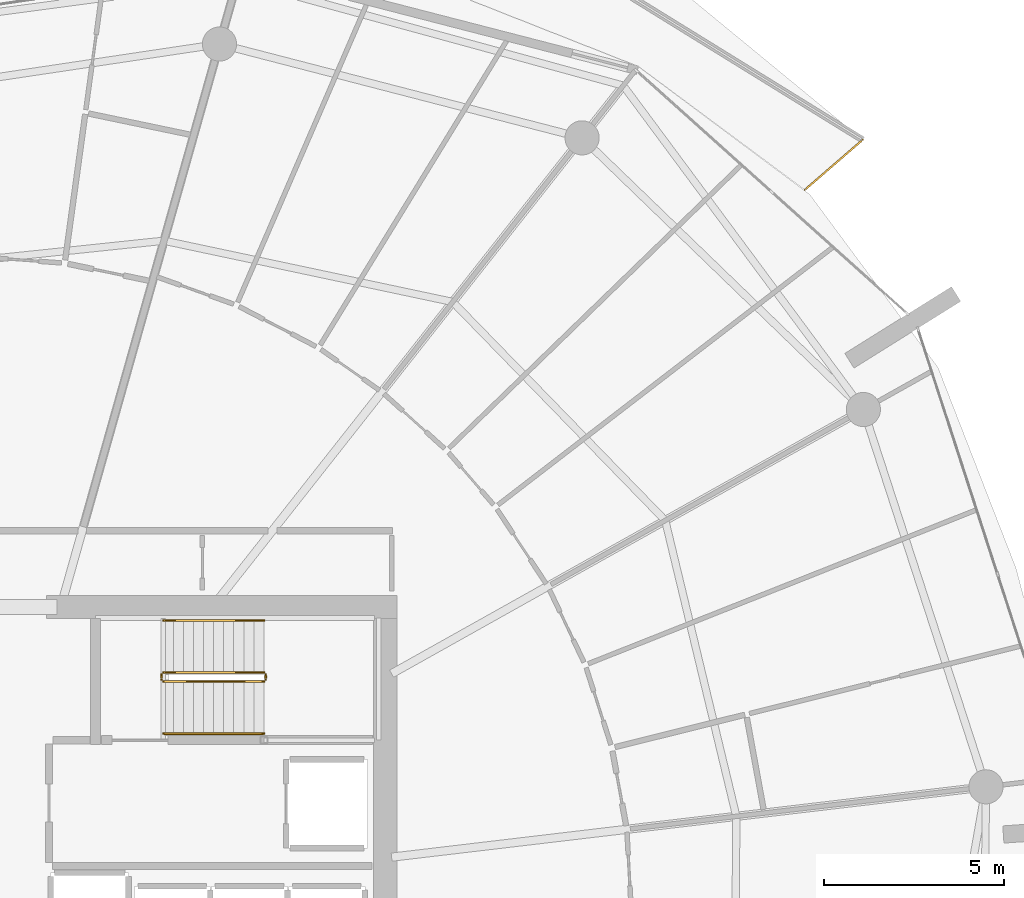
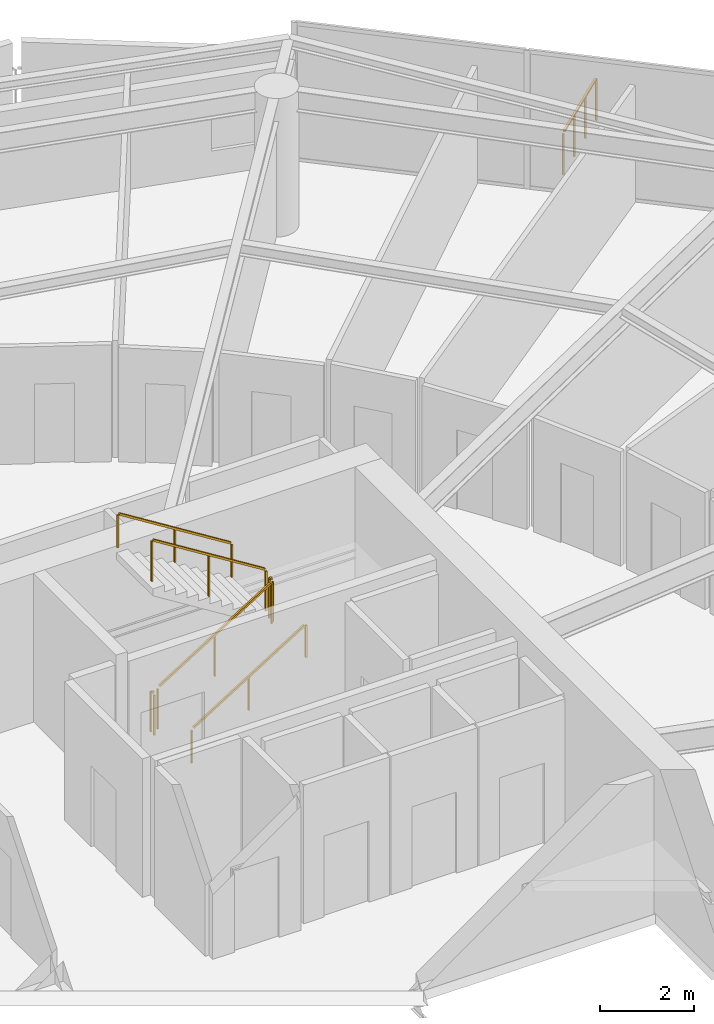
# One storey, part 29 of 30: 7 railings.
"""IFC4 building model written with IfcOpenShell, lengths in metres."""

from ifc_helpers import new_model, si_unit, direction, frame, origin, origin_2d, place, context, subcontext, project, spatial, rectangle, extrude, material, type_object, element, save


model = new_model("IFC4")

# Units and contexts
model_context = context("Model", 3, precision=1e-05, world=origin(), true_north=direction((0.0, 1.0)))
body_context = subcontext(model_context, "Body", "Model", "MODEL_VIEW")
ifc_project = project(units=[si_unit("LENGTHUNIT", "METRE"), si_unit("AREAUNIT", "SQUARE_METRE"), si_unit("VOLUMEUNIT", "CUBIC_METRE"), si_unit("PLANEANGLEUNIT", "RADIAN"), si_unit("MASSUNIT", "GRAM", prefix="KILO")], contexts=[model_context])

# Site, building, storey
site_placement = place(None, origin())
site = spatial("IfcSite", under=ifc_project, at=site_placement, CompositionType="ELEMENT")
building_placement = place(site_placement, origin())
building = spatial("IfcBuilding", under=site, at=building_placement, Name="Kazma Halo Residences", CompositionType="ELEMENT")
storey_placement = place(building_placement, frame((0.0, 0.0, 255.949951171875)))
storey = spatial("IfcBuildingStorey", under=building, at=storey_placement, Name="L64", CompositionType="ELEMENT", Elevation=255.949951171875)

# Railings
ifc_material_1 = material(Name="Aluminium AW-6063 T6 Brushed Cap Rail", Category="aluminium")
railing_type_1 = type_object("IfcRailingType", Name="RLG-BAL-CAP-1120", PredefinedType="BALUSTRADE", material=ifc_material_1)
railing_1_placement = place(storey_placement, frame((71.0400390625, 61.9228515625, 0.0)))
element("IfcRailing", 1, at=railing_1_placement, inside=storey, type_object=railing_type_1, Name="L64 NE wave balcony guard 1", PredefinedType="BALUSTRADE", context=body_context, shape_type="SweptSolid", body=[
    extrude(rectangle(XDim=0.050048828125, YDim=0.050048828125, at=origin_2d()), frame((0.0322265625, 0.02783203125, 1.09521484375), z_axis=(0.756418334569, 0.654088146299, 0.0), x_axis=(-0.654088146299, 0.756418334569, 0.0)), (0.0, 0.0, 1.0), 2.04541015625),
    extrude(rectangle(XDim=0.0400390625, YDim=0.0400390625, at=origin_2d()), origin(), (0.0, 0.0, 1.0), 1.05810546875),
    extrude(rectangle(XDim=0.0400390625, YDim=0.0400390625, at=origin_2d()), frame((0.537109375, 0.464599609375, 0.0)), (0.0, 0.0, 1.0), 1.05810546875),
    extrude(rectangle(XDim=0.0400390625, YDim=0.0400390625, at=origin_2d()), frame((1.074462890625, 0.928955078125, 0.0)), (0.0, 0.0, 1.0), 1.05810546875),
    extrude(rectangle(XDim=0.0400390625, YDim=0.0400390625, at=origin_2d()), frame((1.611572265625, 1.3935546875, 0.0)), (0.0, 0.0, 1.0), 1.05810546875),
])
ifc_material_2 = material(Name="Painted Steel S355", Category="steel")
railing_type_2 = type_object("IfcRailingType", Name="RLG-STAIR-GRD-1100", PredefinedType="GUARDRAIL", material=ifc_material_2)
railing_2_placement = place(storey_placement, frame((53.199951171875, 48.25, 0.175048828125)))
element("IfcRailing", 2, at=railing_2_placement, inside=storey, type_object=railing_type_2, Name="L64 ST-02 stair guard 1", PredefinedType="GUARDRAIL", context=body_context, shape_type="SweptSolid", body=[
    extrude(rectangle(XDim=0.050048828125, YDim=0.050048828125, at=origin_2d()), frame((0.0361328125, 0.0, 1.09765625), z_axis=(0.848002457836, 0.0, 0.529992293815), x_axis=(0.0, 1.0, 0.0)), (0.0, 0.0, 1.0), 3.216796875),
    extrude(rectangle(XDim=0.0400390625, YDim=0.0400390625, at=origin_2d()), origin(), (0.0, 0.0, 1.0), 1.0380859375),
    extrude(rectangle(XDim=0.0400390625, YDim=0.0400390625, at=origin_2d()), frame((1.39990234375, 0.0, 0.875)), (0.0, 0.0, 1.0), 1.0380859375),
    extrude(rectangle(XDim=0.0400390625, YDim=0.0400390625, at=origin_2d()), frame((2.800048828125, 0.0, 1.75)), (0.0, 0.0, 1.0), 1.0380859375),
])
railing_3_placement = place(storey_placement, frame((56.050048828125, 48.300048828125, 1.925048828125)))
element("IfcRailing", 3, at=railing_3_placement, inside=storey, type_object=railing_type_2, Name="L64 ST-02 stair guard 2", PredefinedType="GUARDRAIL", context=body_context, shape_type="SweptSolid", body=[
    extrude(rectangle(XDim=0.050048828125, YDim=0.050048828125, at=origin_2d()), frame((0.0, 0.04248046875, 1.0751953125), z_axis=(0.0, 1.0, 0.0), x_axis=(-1.0, 0.0, 0.0)), (0.0, 0.0, 1.0), 0.06494140625),
    extrude(rectangle(XDim=0.0400390625, YDim=0.0400390625, at=origin_2d()), origin(), (0.0, 0.0, 1.0), 1.0380859375),
    extrude(rectangle(XDim=0.0400390625, YDim=0.0400390625, at=origin_2d()), frame((0.0, 0.14990234375, 0.0)), (0.0, 0.0, 1.0), 1.0380859375),
])
railing_4_placement = place(storey_placement, frame((56.0, 48.5, 2.10009765625)))
element("IfcRailing", 4, at=railing_4_placement, inside=storey, type_object=railing_type_2, Name="L64 ST-02 stair guard 3", PredefinedType="GUARDRAIL", context=body_context, shape_type="SweptSolid", body=[
    extrude(rectangle(XDim=0.050048828125, YDim=0.050048828125, at=origin_2d()), frame((-0.0361328125, 0.0, 1.09765625), z_axis=(-0.848002457836, 0.0, 0.529992293815), x_axis=(0.0, -1.0, 0.0)), (0.0, 0.0, 1.0), 3.216796875),
    extrude(rectangle(XDim=0.0400390625, YDim=0.0400390625, at=origin_2d()), origin(), (0.0, 0.0, 1.0), 1.0380859375),
    extrude(rectangle(XDim=0.0400390625, YDim=0.0400390625, at=origin_2d()), frame((-1.39990234375, 0.0, 0.875)), (0.0, 0.0, 1.0), 1.0380859375),
    extrude(rectangle(XDim=0.0400390625, YDim=0.0400390625, at=origin_2d()), frame((-2.800048828125, 0.0, 1.75)), (0.0, 0.0, 1.0), 1.0380859375),
])
railing_5_placement = place(storey_placement, frame((53.14990234375, 48.300048828125, 0.0)))
element("IfcRailing", 5, at=railing_5_placement, inside=storey, type_object=railing_type_2, Name="L64 ST-02 stair guard 4", PredefinedType="GUARDRAIL", context=body_context, shape_type="SweptSolid", body=[
    extrude(rectangle(XDim=0.050048828125, YDim=0.050048828125, at=origin_2d()), frame((0.0, 0.04248046875, 1.0751953125), z_axis=(0.0, 1.0, 0.0), x_axis=(-1.0, 0.0, 0.0)), (0.0, 0.0, 1.0), 0.06494140625),
    extrude(rectangle(XDim=0.0400390625, YDim=0.0400390625, at=origin_2d()), origin(), (0.0, 0.0, 1.0), 1.0380859375),
    extrude(rectangle(XDim=0.0400390625, YDim=0.0400390625, at=origin_2d()), frame((0.0, 0.14990234375, 0.0)), (0.0, 0.0, 1.0), 1.0380859375),
])
ifc_material_3 = material(Name="Brushed Stainless Steel", Category="steel")
railing_type_3 = type_object("IfcRailingType", Name="RLG-STAIR-HND-900", PredefinedType="HANDRAIL", material=ifc_material_3)
railing_6_placement = place(storey_placement, frame((53.199951171875, 46.800048828125, 0.175048828125)))
element("IfcRailing", 6, at=railing_6_placement, inside=storey, type_object=railing_type_3, Name="L64 ST-02 stair handrail 1", PredefinedType="HANDRAIL", context=body_context, shape_type="SweptSolid", body=[
    extrude(rectangle(XDim=0.050048828125, YDim=0.050048828125, at=origin_2d()), frame((0.0361328125, 0.0, 0.8974609375), z_axis=(0.848002457836, 0.0, 0.529992293815), x_axis=(0.0, 1.0, 0.0)), (0.0, 0.0, 1.0), 3.216796875),
    extrude(rectangle(XDim=0.0400390625, YDim=0.0400390625, at=origin_2d()), origin(), (0.0, 0.0, 1.0), 0.837890625),
    extrude(rectangle(XDim=0.0400390625, YDim=0.0400390625, at=origin_2d()), frame((1.39990234375, 0.0, 0.875)), (0.0, 0.0, 1.0), 0.837890625),
    extrude(rectangle(XDim=0.0400390625, YDim=0.0400390625, at=origin_2d()), frame((2.800048828125, 0.0, 1.75)), (0.0, 0.0, 1.0), 0.837890625),
])
railing_7_placement = place(storey_placement, frame((56.0, 49.949951171875, 2.10009765625)))
element("IfcRailing", 7, at=railing_7_placement, inside=storey, type_object=railing_type_3, Name="L64 ST-02 stair handrail 2", PredefinedType="HANDRAIL", context=body_context, shape_type="SweptSolid", body=[
    extrude(rectangle(XDim=0.050048828125, YDim=0.050048828125, at=origin_2d()), frame((-0.0361328125, 0.0, 0.8974609375), z_axis=(-0.848002457836, 0.0, 0.529992293815), x_axis=(0.0, -1.0, 0.0)), (0.0, 0.0, 1.0), 3.216796875),
    extrude(rectangle(XDim=0.0400390625, YDim=0.0400390625, at=origin_2d()), origin(), (0.0, 0.0, 1.0), 0.837890625),
    extrude(rectangle(XDim=0.0400390625, YDim=0.0400390625, at=origin_2d()), frame((-1.39990234375, 0.0, 0.875)), (0.0, 0.0, 1.0), 0.837890625),
    extrude(rectangle(XDim=0.0400390625, YDim=0.0400390625, at=origin_2d()), frame((-2.800048828125, 0.0, 1.75)), (0.0, 0.0, 1.0), 0.837890625),
])

save(model, "model.ifc")
